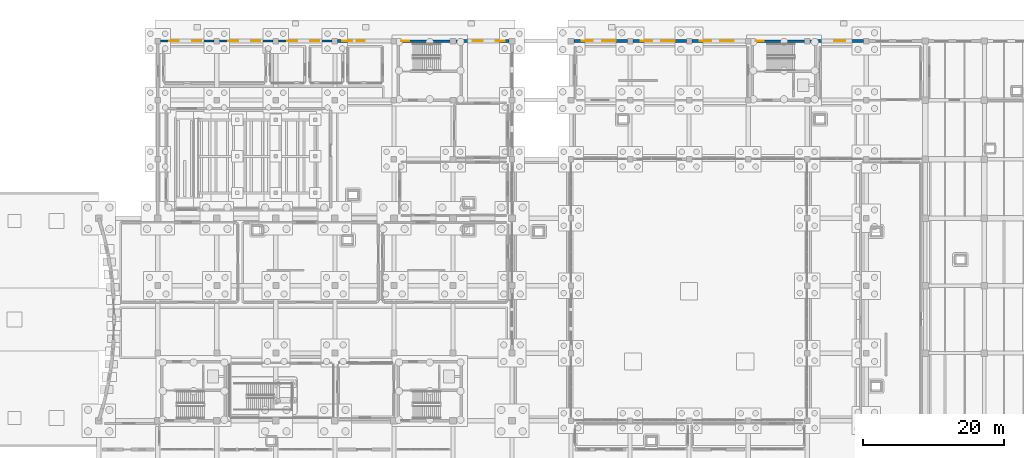
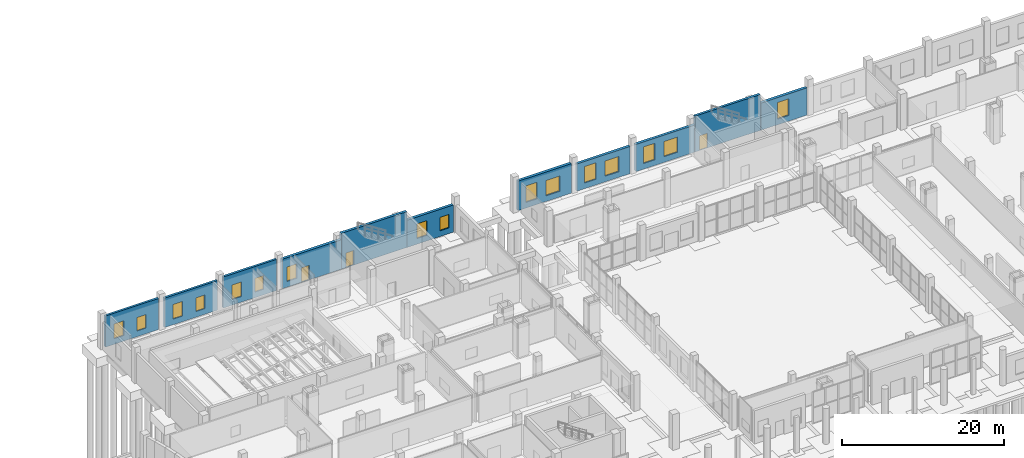
# One storey, part 45 of 65: 16 windows, 11 walls, 3 doors, 19 openings.
"""IFC4 building model written with IfcOpenShell, lengths in metres."""

from ifc_helpers import new_model, si_unit, direction, frame, frame_2d, origin, place, context, subcontext, project, spatial, rectangle, extrude, material, layer, layer_set, type_object, element, fill, save


model = new_model("IFC4")

# Units and contexts
model_context = context("Model", 3, precision=1e-05, world=origin(), true_north=direction((0.0, 1.0)))
body_context = subcontext(model_context, "Body", "Model", "MODEL_VIEW")
ifc_project = project(units=[si_unit("LENGTHUNIT", "METRE"), si_unit("AREAUNIT", "SQUARE_METRE"), si_unit("VOLUMEUNIT", "CUBIC_METRE"), si_unit("PLANEANGLEUNIT", "RADIAN"), si_unit("MASSUNIT", "GRAM", prefix="KILO")], contexts=[model_context])

# Site, building, storey
site_placement = place(None, origin())
site = spatial("IfcSite", under=ifc_project, at=site_placement, CompositionType="ELEMENT")
building_placement = place(site_placement, origin())
building = spatial("IfcBuilding", under=site, at=building_placement, Name="Zulmaris Art Gallery", CompositionType="ELEMENT")
storey_placement = place(building_placement, origin())
storey = spatial("IfcBuildingStorey", under=building, at=storey_placement, Name="L00", CompositionType="ELEMENT", Elevation=0.0)

# Wall, openings, door, window
ifc_material_1 = material(Name="Omani Desert Rose Limestone Cladding Wall", Category="masonry")
ifc_layer_1 = layer(ifc_material_1, 0.389892578125)
ifc_layer_set_1 = layer_set([ifc_layer_1], Name="Omani Desert Rose Limestone Cladding Wall")
wall_type_1 = type_object("IfcWallType", Name="ENV-WALL-EW02", PredefinedType="SOLIDWALL", material=ifc_layer_set_1)
wall_1_placement = place(storey_placement, frame((58.001953125, 75.60009765625, 0.0), z_axis=(0.0, 0.0, 1.0), x_axis=(1.0, 0.0, 0.0)))
wall_1 = element("IfcWall", 1, at=wall_1_placement, inside=storey, type_object=wall_type_1, Name="L00 V3 North Limestone Wall (57.6..66.4)", PredefinedType="SOLIDWALL", context=body_context, shape_type="SweptSolid", body=[
    extrude(rectangle(XDim=8.406005859375, YDim=0.389892578125, at=frame_2d((4.203125, 0.0))), origin(), (0.0, 0.0, 1.0), 4.43994140625),
])
opening_1_placement = place(wall_1_placement, frame((0.66796875, 0.0, 0.85009765625)))
opening_1 = element("IfcOpeningElement", 2, at=opening_1_placement, cuts=wall_1, Name="Opening W04", PredefinedType="OPENING", context=body_context, shape_type="SweptSolid", body=[
    extrude(rectangle(XDim=1.39990234375, YDim=2.199951171875, at=frame_2d((0.699951171875, 1.10009765625))), frame((0.0, 0.204833984375, 0.0), z_axis=(0.0, -1.0, 0.0), x_axis=(1.0, 0.0, 0.0)), (0.0, 0.0, 1.0), 0.409912109375),
])
opening_2_placement = place(wall_1_placement, frame((2.718017578125, 0.0, 0.0)))
opening_2 = element("IfcOpeningElement", 3, at=opening_2_placement, cuts=wall_1, Name="Opening ED02", PredefinedType="OPENING", context=body_context, shape_type="SweptSolid", body=[
    extrude(rectangle(XDim=1.14990234375, YDim=2.199951171875, at=frame_2d((0.574951171875, 1.10009765625))), frame((0.0, 0.204833984375, 0.0), z_axis=(0.0, -1.0, 0.0), x_axis=(1.0, 0.0, 0.0)), (0.0, 0.0, 1.0), 0.409912109375),
])
ifc_material_2 = material(Name="Fire Exit Discharge Door", Category="steel")
door_type = type_object("IfcDoorType", Name="EDOOR-ED02", OperationType="SINGLE_SWING_LEFT", PredefinedType="DOOR", material=ifc_material_2)
door_1_placement = place(opening_2_placement, origin())
door_1 = element("IfcDoor", 4, at=door_1_placement, inside=storey, type_object=door_type, Name="L00 Auditorium Foyer North Exit Door", OperationType="SINGLE_SWING_LEFT", OverallHeight=2.199951171875, OverallWidth=1.14990234375, PredefinedType="DOOR", context=body_context, shape_type="SweptSolid", body=[
    extrude(rectangle(XDim=1.14990234375, YDim=2.199951171875, at=frame_2d((0.574951171875, 1.10009765625))), frame((0.0, 0.02490234375, 0.0), z_axis=(0.0, -1.0, 0.0), x_axis=(1.0, 0.0, 0.0)), (0.0, 0.0, 1.0), 0.050048828125),
])
fill(opening_2, door_1)
ifc_material_3 = material(Name="Deep-Reveal Limestone Slot Window", Category="masonry")
window_type_1 = type_object("IfcWindowType", Name="WIN-W04", PartitioningType="SINGLE_PANEL", PredefinedType="WINDOW", material=ifc_material_3)
window_1_placement = place(opening_1_placement, origin())
window_1 = element("IfcWindow", 5, at=window_1_placement, inside=storey, type_object=window_type_1, Name="L00 exterior window W04", OverallHeight=2.199951171875, OverallWidth=1.39990234375, PartitioningType="SINGLE_PANEL", PredefinedType="WINDOW", context=body_context, shape_type="SweptSolid", body=[
    extrude(rectangle(XDim=1.39990234375, YDim=2.199951171875, at=frame_2d((0.699951171875, 1.10009765625))), frame((0.0, 0.030029296875, 0.0), z_axis=(0.0, -1.0, 0.0), x_axis=(1.0, 0.0, 0.0)), (0.0, 0.0, 1.0), 0.06005859375),
])
fill(opening_1, window_1)

# Wall, openings, windows
wall_2_placement = place(storey_placement, frame((75.7919921875, 75.60009765625, 0.0), z_axis=(0.0, 0.0, 1.0), x_axis=(1.0, 0.0, 0.0)))
wall_2 = element("IfcWall", 6, at=wall_2_placement, inside=storey, type_object=wall_type_1, Name="L00 V3 North Limestone Wall (75.6..82.8)", PredefinedType="SOLIDWALL", context=body_context, shape_type="SweptSolid", body=[
    extrude(rectangle(XDim=6.60595703125, YDim=0.389892578125, at=frame_2d((3.302978515625, 0.0))), origin(), (0.0, 0.0, 1.0), 4.090087890625),
])
opening_3_placement = place(wall_2_placement, frame((1.427978515625, 0.0, 0.85009765625)))
opening_3 = element("IfcOpeningElement", 7, at=opening_3_placement, cuts=wall_2, Name="Opening W04", PredefinedType="OPENING", context=body_context, shape_type="SweptSolid", body=[
    extrude(rectangle(XDim=1.39990234375, YDim=2.199951171875, at=frame_2d((0.699951171875, 1.10009765625))), frame((0.0, 0.204833984375, 0.0), z_axis=(0.0, -1.0, 0.0), x_axis=(1.0, 0.0, 0.0)), (0.0, 0.0, 1.0), 0.409912109375),
])
opening_4_placement = place(wall_2_placement, frame((4.72802734375, 0.0, 0.85009765625)))
opening_4 = element("IfcOpeningElement", 8, at=opening_4_placement, cuts=wall_2, Name="Opening W10", PredefinedType="OPENING", context=body_context, shape_type="SweptSolid", body=[
    extrude(rectangle(XDim=1.25, YDim=2.050048828125, at=frame_2d((0.625, 1.02490234375))), frame((0.0, 0.204833984375, 0.0), z_axis=(0.0, -1.0, 0.0), x_axis=(1.0, 0.0, 0.0)), (0.0, 0.0, 1.0), 0.409912109375),
])
window_2_placement = place(opening_3_placement, origin())
window_2 = element("IfcWindow", 9, at=window_2_placement, inside=storey, type_object=window_type_1, Name="L00 exterior window W04", OverallHeight=2.199951171875, OverallWidth=1.39990234375, PartitioningType="SINGLE_PANEL", PredefinedType="WINDOW", context=body_context, shape_type="SweptSolid", body=[
    extrude(rectangle(XDim=1.39990234375, YDim=2.199951171875, at=frame_2d((0.699951171875, 1.10009765625))), frame((0.0, 0.030029296875, 0.0), z_axis=(0.0, -1.0, 0.0), x_axis=(1.0, 0.0, 0.0)), (0.0, 0.0, 1.0), 0.06005859375),
])
fill(opening_3, window_2)
ifc_material_4 = material(Name="Limestone Deep-Set Lancet Window", Category="masonry")
window_type_2 = type_object("IfcWindowType", Name="WIN-W10", PartitioningType="SINGLE_PANEL", PredefinedType="WINDOW", material=ifc_material_4)
window_3_placement = place(opening_4_placement, origin())
window_3 = element("IfcWindow", 10, at=window_3_placement, inside=storey, type_object=window_type_2, Name="L00 exterior window W10", OverallHeight=2.050048828125, OverallWidth=1.25, PartitioningType="SINGLE_PANEL", PredefinedType="WINDOW", context=body_context, shape_type="SweptSolid", body=[
    extrude(rectangle(XDim=1.25, YDim=2.050048828125, at=frame_2d((0.625, 1.02490234375))), frame((0.0, 0.030029296875, 0.0), z_axis=(0.0, -1.0, 0.0), x_axis=(1.0, 0.0, 0.0)), (0.0, 0.0, 1.0), 0.06005859375),
])
fill(opening_4, window_3)

wall_3_placement = place(storey_placement, frame((91.60205078125, 75.60009765625, 0.0), z_axis=(0.0, 0.0, 1.0), x_axis=(1.0, 0.0, 0.0)))
wall_3 = element("IfcWall", 11, at=wall_3_placement, inside=storey, type_object=wall_type_1, Name="L00 V4 North Alley Limestone Facade (91.2..99.6)", PredefinedType="SOLIDWALL", context=body_context, shape_type="SweptSolid", body=[
    extrude(rectangle(XDim=7.595947265625, YDim=0.389892578125, at=frame_2d((3.7978515625, 0.0))), origin(), (0.0, 0.0, 1.0), 4.43994140625),
])
opening_5_placement = place(wall_3_placement, frame((1.117919921875, 0.0, 0.85009765625)))
opening_5 = element("IfcOpeningElement", 12, at=opening_5_placement, cuts=wall_3, Name="Opening W01", PredefinedType="OPENING", context=body_context, shape_type="SweptSolid", body=[
    extrude(rectangle(XDim=1.60009765625, YDim=2.5, at=frame_2d((0.800048828125, 1.25))), frame((0.0, 0.204833984375, 0.0), z_axis=(0.0, -1.0, 0.0), x_axis=(1.0, 0.0, 0.0)), (0.0, 0.0, 1.0), 0.409912109375),
])
opening_6_placement = place(wall_3_placement, frame((4.01806640625, 0.0, 0.85009765625)))
opening_6 = element("IfcOpeningElement", 13, at=opening_6_placement, cuts=wall_3, Name="Opening W08", PredefinedType="OPENING", context=body_context, shape_type="SweptSolid", body=[
    extrude(rectangle(XDim=1.949951171875, YDim=2.300048828125, at=frame_2d((0.97509765625, 1.14990234375))), frame((0.0, 0.204833984375, 0.0), z_axis=(0.0, -1.0, 0.0), x_axis=(1.0, 0.0, 0.0)), (0.0, 0.0, 1.0), 0.409912109375),
])
ifc_material_5 = material(Name="Double-Glazed Solar-Control Low-E Window", Category="glass")
window_type_3 = type_object("IfcWindowType", Name="WIN-W01", PartitioningType="SINGLE_PANEL", PredefinedType="WINDOW", material=ifc_material_5)
window_4_placement = place(opening_5_placement, origin())
window_4 = element("IfcWindow", 14, at=window_4_placement, inside=storey, type_object=window_type_3, Name="L00 exterior window W01", OverallHeight=2.5, OverallWidth=1.60009765625, PartitioningType="SINGLE_PANEL", PredefinedType="WINDOW", context=body_context, shape_type="SweptSolid", body=[
    extrude(rectangle(XDim=1.60009765625, YDim=2.5, at=frame_2d((0.800048828125, 1.25))), frame((0.0, 0.030029296875, 0.0), z_axis=(0.0, -1.0, 0.0), x_axis=(1.0, 0.0, 0.0)), (0.0, 0.0, 1.0), 0.06005859375),
])
fill(opening_5, window_4)
ifc_material_6 = material(Name="Curatorial North Studio Window", Category="glass")
window_type_4 = type_object("IfcWindowType", Name="WIN-W08", PartitioningType="SINGLE_PANEL", PredefinedType="WINDOW", material=ifc_material_6)
window_5_placement = place(opening_6_placement, origin())
window_5 = element("IfcWindow", 15, at=window_5_placement, inside=storey, type_object=window_type_4, Name="L00 exterior window W08", OverallHeight=2.300048828125, OverallWidth=1.949951171875, PartitioningType="SINGLE_PANEL", PredefinedType="WINDOW", context=body_context, shape_type="SweptSolid", body=[
    extrude(rectangle(XDim=1.949951171875, YDim=2.300048828125, at=frame_2d((0.97509765625, 1.14990234375))), frame((0.0, 0.030029296875, 0.0), z_axis=(0.0, -1.0, 0.0), x_axis=(1.0, 0.0, 0.0)), (0.0, 0.0, 1.0), 0.06005859375),
])
fill(opening_6, window_5)

wall_4_placement = place(storey_placement, frame((100.001953125, 75.60009765625, 0.0), z_axis=(0.0, 0.0, 1.0), x_axis=(1.0, 0.0, 0.0)))
wall_4 = element("IfcWall", 16, at=wall_4_placement, inside=storey, type_object=wall_type_1, Name="L00 V4 North Alley Limestone Facade (99.6..108.0)", PredefinedType="SOLIDWALL", context=body_context, shape_type="SweptSolid", body=[
    extrude(rectangle(XDim=7.595947265625, YDim=0.389892578125, at=frame_2d((3.7978515625, 0.0))), origin(), (0.0, 0.0, 1.0), 4.090087890625),
])
opening_7_placement = place(wall_4_placement, frame((1.117919921875, 0.0, 0.85009765625)))
opening_7 = element("IfcOpeningElement", 17, at=opening_7_placement, cuts=wall_4, Name="Opening W01", PredefinedType="OPENING", context=body_context, shape_type="SweptSolid", body=[
    extrude(rectangle(XDim=1.60009765625, YDim=2.5, at=frame_2d((0.800048828125, 1.25))), frame((0.0, 0.204833984375, 0.0), z_axis=(0.0, -1.0, 0.0), x_axis=(1.0, 0.0, 0.0)), (0.0, 0.0, 1.0), 0.409912109375),
])
opening_8_placement = place(wall_4_placement, frame((4.01806640625, 0.0, 0.85009765625)))
opening_8 = element("IfcOpeningElement", 18, at=opening_8_placement, cuts=wall_4, Name="Opening W08", PredefinedType="OPENING", context=body_context, shape_type="SweptSolid", body=[
    extrude(rectangle(XDim=1.949951171875, YDim=2.300048828125, at=frame_2d((0.97509765625, 1.14990234375))), frame((0.0, 0.204833984375, 0.0), z_axis=(0.0, -1.0, 0.0), x_axis=(1.0, 0.0, 0.0)), (0.0, 0.0, 1.0), 0.409912109375),
])
window_6_placement = place(opening_7_placement, origin())
window_6 = element("IfcWindow", 19, at=window_6_placement, inside=storey, type_object=window_type_3, Name="L00 exterior window W01", OverallHeight=2.5, OverallWidth=1.60009765625, PartitioningType="SINGLE_PANEL", PredefinedType="WINDOW", context=body_context, shape_type="SweptSolid", body=[
    extrude(rectangle(XDim=1.60009765625, YDim=2.5, at=frame_2d((0.800048828125, 1.25))), frame((0.0, 0.030029296875, 0.0), z_axis=(0.0, -1.0, 0.0), x_axis=(1.0, 0.0, 0.0)), (0.0, 0.0, 1.0), 0.06005859375),
])
fill(opening_7, window_6)
window_7_placement = place(opening_8_placement, origin())
window_7 = element("IfcWindow", 20, at=window_7_placement, inside=storey, type_object=window_type_4, Name="L00 exterior window W08", OverallHeight=2.300048828125, OverallWidth=1.949951171875, PartitioningType="SINGLE_PANEL", PredefinedType="WINDOW", context=body_context, shape_type="SweptSolid", body=[
    extrude(rectangle(XDim=1.949951171875, YDim=2.300048828125, at=frame_2d((0.97509765625, 1.14990234375))), frame((0.0, 0.030029296875, 0.0), z_axis=(0.0, -1.0, 0.0), x_axis=(1.0, 0.0, 0.0)), (0.0, 0.0, 1.0), 0.06005859375),
])
fill(opening_8, window_7)

wall_5_placement = place(storey_placement, frame((108.402099609375, 75.60009765625, 0.0), z_axis=(0.0, 0.0, 1.0), x_axis=(1.0, 0.0, 0.0)))
wall_5 = element("IfcWall", 21, at=wall_5_placement, inside=storey, type_object=wall_type_1, Name="L00 V4 North Alley Limestone Facade (108.0..116.8)", PredefinedType="SOLIDWALL", context=body_context, shape_type="SweptSolid", body=[
    extrude(rectangle(XDim=8.385986328125, YDim=0.389892578125, at=frame_2d((4.19287109375, 0.0))), origin(), (0.0, 0.0, 1.0), 4.090087890625),
])
opening_9_placement = place(wall_5_placement, frame((1.117919921875, 0.0, 0.85009765625)))
opening_9 = element("IfcOpeningElement", 22, at=opening_9_placement, cuts=wall_5, Name="Opening W01", PredefinedType="OPENING", context=body_context, shape_type="SweptSolid", body=[
    extrude(rectangle(XDim=1.60009765625, YDim=2.5, at=frame_2d((0.800048828125, 1.25))), frame((0.0, 0.204833984375, 0.0), z_axis=(0.0, -1.0, 0.0), x_axis=(1.0, 0.0, 0.0)), (0.0, 0.0, 1.0), 0.409912109375),
])
opening_10_placement = place(wall_5_placement, frame((4.01806640625, 0.0, 0.85009765625)))
opening_10 = element("IfcOpeningElement", 23, at=opening_10_placement, cuts=wall_5, Name="Opening W08", PredefinedType="OPENING", context=body_context, shape_type="SweptSolid", body=[
    extrude(rectangle(XDim=1.949951171875, YDim=2.300048828125, at=frame_2d((0.97509765625, 1.14990234375))), frame((0.0, 0.204833984375, 0.0), z_axis=(0.0, -1.0, 0.0), x_axis=(1.0, 0.0, 0.0)), (0.0, 0.0, 1.0), 0.409912109375),
])
window_8_placement = place(opening_9_placement, origin())
window_8 = element("IfcWindow", 24, at=window_8_placement, inside=storey, type_object=window_type_3, Name="L00 exterior window W01", OverallHeight=2.5, OverallWidth=1.60009765625, PartitioningType="SINGLE_PANEL", PredefinedType="WINDOW", context=body_context, shape_type="SweptSolid", body=[
    extrude(rectangle(XDim=1.60009765625, YDim=2.5, at=frame_2d((0.800048828125, 1.25))), frame((0.0, 0.030029296875, 0.0), z_axis=(0.0, -1.0, 0.0), x_axis=(1.0, 0.0, 0.0)), (0.0, 0.0, 1.0), 0.06005859375),
])
fill(opening_9, window_8)
window_9_placement = place(opening_10_placement, origin())
window_9 = element("IfcWindow", 25, at=window_9_placement, inside=storey, type_object=window_type_4, Name="L00 exterior window W08", OverallHeight=2.300048828125, OverallWidth=1.949951171875, PartitioningType="SINGLE_PANEL", PredefinedType="WINDOW", context=body_context, shape_type="SweptSolid", body=[
    extrude(rectangle(XDim=1.949951171875, YDim=2.300048828125, at=frame_2d((0.97509765625, 1.14990234375))), frame((0.0, 0.030029296875, 0.0), z_axis=(0.0, -1.0, 0.0), x_axis=(1.0, 0.0, 0.0)), (0.0, 0.0, 1.0), 0.06005859375),
])
fill(opening_10, window_9)

# Wall, opening, window
wall_6_placement = place(storey_placement, frame((126.2119140625, 75.60009765625, 0.0), z_axis=(0.0, 0.0, 1.0), x_axis=(1.0, 0.0, 0.0)))
wall_6 = element("IfcWall", 26, at=wall_6_placement, inside=storey, type_object=wall_type_1, Name="L00 V4 North Alley Limestone Facade (126.0..133.2)", PredefinedType="SOLIDWALL", context=body_context, shape_type="SweptSolid", body=[
    extrude(rectangle(XDim=6.586181640625, YDim=0.389892578125, at=frame_2d((3.29296875, 0.0))), origin(), (0.0, 0.0, 1.0), 4.090087890625),
])
opening_11_placement = place(wall_6_placement, frame((2.407958984375, 0.0, 0.85009765625)))
opening_11 = element("IfcOpeningElement", 27, at=opening_11_placement, cuts=wall_6, Name="Opening W01", PredefinedType="OPENING", context=body_context, shape_type="SweptSolid", body=[
    extrude(rectangle(XDim=1.60009765625, YDim=2.5, at=frame_2d((0.800048828125, 1.25))), frame((0.0, 0.204833984375, 0.0), z_axis=(0.0, -1.0, 0.0), x_axis=(1.0, 0.0, 0.0)), (0.0, 0.0, 1.0), 0.409912109375),
])
window_10_placement = place(opening_11_placement, origin())
window_10 = element("IfcWindow", 28, at=window_10_placement, inside=storey, type_object=window_type_3, Name="L00 exterior window W01", OverallHeight=2.5, OverallWidth=1.60009765625, PartitioningType="SINGLE_PANEL", PredefinedType="WINDOW", context=body_context, shape_type="SweptSolid", body=[
    extrude(rectangle(XDim=1.60009765625, YDim=2.5, at=frame_2d((0.800048828125, 1.25))), frame((0.0, 0.030029296875, 0.0), z_axis=(0.0, -1.0, 0.0), x_axis=(1.0, 0.0, 0.0)), (0.0, 0.0, 1.0), 0.06005859375),
])
fill(opening_11, window_10)

# Wall, openings, windows
ifc_material_7 = material(Name="Stucco-Rendered Acoustic Blockwork Wall", Category="masonry")
ifc_layer_2 = layer(ifc_material_7, 0.320068359375)
ifc_layer_set_2 = layer_set([ifc_layer_2], Name="Stucco-Rendered Acoustic Blockwork Wall")
wall_type_2 = type_object("IfcWallType", Name="ENV-WALL-EW04", PredefinedType="SOLIDWALL", material=ifc_layer_set_2)
wall_7_placement = place(storey_placement, frame((32.802001953125, 75.60009765625, 0.0), z_axis=(0.0, 0.0, 1.0), x_axis=(1.0, 0.0, 0.0)))
wall_7 = element("IfcWall", 29, at=wall_7_placement, inside=storey, type_object=wall_type_2, Name="L00 V3 North Limestone Wall (32.4..40.8)", PredefinedType="SOLIDWALL", context=body_context, shape_type="SweptSolid", body=[
    extrude(rectangle(XDim=7.595947265625, YDim=0.320068359375, at=frame_2d((3.7978515625, 0.0))), origin(), (0.0, 0.0, 1.0), 4.68994140625),
])
opening_12_placement = place(wall_7_placement, frame((1.218017578125, 0.0, 0.85009765625)))
opening_12 = element("IfcOpeningElement", 30, at=opening_12_placement, cuts=wall_7, Name="Opening W04", PredefinedType="OPENING", context=body_context, shape_type="SweptSolid", body=[
    extrude(rectangle(XDim=1.39990234375, YDim=2.199951171875, at=frame_2d((0.699951171875, 1.10009765625))), frame((0.0, 0.169921875, 0.0), z_axis=(0.0, -1.0, 0.0), x_axis=(1.0, 0.0, 0.0)), (0.0, 0.0, 1.0), 0.340087890625),
])
opening_13_placement = place(wall_7_placement, frame((4.51806640625, 0.0, 0.85009765625)))
opening_13 = element("IfcOpeningElement", 31, at=opening_13_placement, cuts=wall_7, Name="Opening W10", PredefinedType="OPENING", context=body_context, shape_type="SweptSolid", body=[
    extrude(rectangle(XDim=1.25, YDim=2.050048828125, at=frame_2d((0.625, 1.02490234375))), frame((0.0, 0.169921875, 0.0), z_axis=(0.0, -1.0, 0.0), x_axis=(1.0, 0.0, 0.0)), (0.0, 0.0, 1.0), 0.340087890625),
])
window_11_placement = place(opening_12_placement, origin())
window_11 = element("IfcWindow", 32, at=window_11_placement, inside=storey, type_object=window_type_1, Name="L00 exterior window W04", OverallHeight=2.199951171875, OverallWidth=1.39990234375, PartitioningType="SINGLE_PANEL", PredefinedType="WINDOW", context=body_context, shape_type="SweptSolid", body=[
    extrude(rectangle(XDim=1.39990234375, YDim=2.199951171875, at=frame_2d((0.699951171875, 1.10009765625))), frame((0.0, 0.030029296875, 0.0), z_axis=(0.0, -1.0, 0.0), x_axis=(1.0, 0.0, 0.0)), (0.0, 0.0, 1.0), 0.06005859375),
])
fill(opening_12, window_11)
window_12_placement = place(opening_13_placement, origin())
window_12 = element("IfcWindow", 33, at=window_12_placement, inside=storey, type_object=window_type_2, Name="L00 exterior window W10", OverallHeight=2.050048828125, OverallWidth=1.25, PartitioningType="SINGLE_PANEL", PredefinedType="WINDOW", context=body_context, shape_type="SweptSolid", body=[
    extrude(rectangle(XDim=1.25, YDim=2.050048828125, at=frame_2d((0.625, 1.02490234375))), frame((0.0, 0.030029296875, 0.0), z_axis=(0.0, -1.0, 0.0), x_axis=(1.0, 0.0, 0.0)), (0.0, 0.0, 1.0), 0.06005859375),
])
fill(opening_13, window_12)

wall_8_placement = place(storey_placement, frame((41.201904296875, 75.60009765625, 0.0), z_axis=(0.0, 0.0, 1.0), x_axis=(1.0, 0.0, 0.0)))
wall_8 = element("IfcWall", 34, at=wall_8_placement, inside=storey, type_object=wall_type_2, Name="L00 V3 North Limestone Wall (40.8..49.2)", PredefinedType="SOLIDWALL", context=body_context, shape_type="SweptSolid", body=[
    extrude(rectangle(XDim=7.59619140625, YDim=0.320068359375, at=frame_2d((3.798095703125, 0.0))), origin(), (0.0, 0.0, 1.0), 4.43994140625),
])
opening_14_placement = place(wall_8_placement, frame((1.218017578125, 0.0, 0.85009765625)))
opening_14 = element("IfcOpeningElement", 35, at=opening_14_placement, cuts=wall_8, Name="Opening W04", PredefinedType="OPENING", context=body_context, shape_type="SweptSolid", body=[
    extrude(rectangle(XDim=1.39990234375, YDim=2.199951171875, at=frame_2d((0.699951171875, 1.10009765625))), frame((0.0, 0.169921875, 0.0), z_axis=(0.0, -1.0, 0.0), x_axis=(1.0, 0.0, 0.0)), (0.0, 0.0, 1.0), 0.340087890625),
])
opening_15_placement = place(wall_8_placement, frame((4.51806640625, 0.0, 0.85009765625)))
opening_15 = element("IfcOpeningElement", 36, at=opening_15_placement, cuts=wall_8, Name="Opening W10", PredefinedType="OPENING", context=body_context, shape_type="SweptSolid", body=[
    extrude(rectangle(XDim=1.25, YDim=2.050048828125, at=frame_2d((0.625, 1.02490234375))), frame((0.0, 0.169921875, 0.0), z_axis=(0.0, -1.0, 0.0), x_axis=(1.0, 0.0, 0.0)), (0.0, 0.0, 1.0), 0.340087890625),
])
window_13_placement = place(opening_14_placement, origin())
window_13 = element("IfcWindow", 37, at=window_13_placement, inside=storey, type_object=window_type_1, Name="L00 exterior window W04", OverallHeight=2.199951171875, OverallWidth=1.39990234375, PartitioningType="SINGLE_PANEL", PredefinedType="WINDOW", context=body_context, shape_type="SweptSolid", body=[
    extrude(rectangle(XDim=1.39990234375, YDim=2.199951171875, at=frame_2d((0.699951171875, 1.10009765625))), frame((0.0, 0.030029296875, 0.0), z_axis=(0.0, -1.0, 0.0), x_axis=(1.0, 0.0, 0.0)), (0.0, 0.0, 1.0), 0.06005859375),
])
fill(opening_14, window_13)
window_14_placement = place(opening_15_placement, origin())
window_14 = element("IfcWindow", 38, at=window_14_placement, inside=storey, type_object=window_type_2, Name="L00 exterior window W10", OverallHeight=2.050048828125, OverallWidth=1.25, PartitioningType="SINGLE_PANEL", PredefinedType="WINDOW", context=body_context, shape_type="SweptSolid", body=[
    extrude(rectangle(XDim=1.25, YDim=2.050048828125, at=frame_2d((0.625, 1.02490234375))), frame((0.0, 0.030029296875, 0.0), z_axis=(0.0, -1.0, 0.0), x_axis=(1.0, 0.0, 0.0)), (0.0, 0.0, 1.0), 0.06005859375),
])
fill(opening_15, window_14)

wall_9_placement = place(storey_placement, frame((49.60205078125, 75.60009765625, 0.0), z_axis=(0.0, 0.0, 1.0), x_axis=(1.0, 0.0, 0.0)))
wall_9 = element("IfcWall", 39, at=wall_9_placement, inside=storey, type_object=wall_type_2, Name="L00 V3 North Limestone Wall (49.2..57.6)", PredefinedType="SOLIDWALL", context=body_context, shape_type="SweptSolid", body=[
    extrude(rectangle(XDim=7.595947265625, YDim=0.320068359375, at=frame_2d((3.7978515625, 0.0))), origin(), (0.0, 0.0, 1.0), 4.68994140625),
])
opening_16_placement = place(wall_9_placement, frame((1.218017578125, 0.0, 0.85009765625)))
opening_16 = element("IfcOpeningElement", 40, at=opening_16_placement, cuts=wall_9, Name="Opening W04", PredefinedType="OPENING", context=body_context, shape_type="SweptSolid", body=[
    extrude(rectangle(XDim=1.39990234375, YDim=2.199951171875, at=frame_2d((0.699951171875, 1.10009765625))), frame((0.0, 0.169921875, 0.0), z_axis=(0.0, -1.0, 0.0), x_axis=(1.0, 0.0, 0.0)), (0.0, 0.0, 1.0), 0.340087890625),
])
opening_17_placement = place(wall_9_placement, frame((4.51806640625, 0.0, 0.85009765625)))
opening_17 = element("IfcOpeningElement", 41, at=opening_17_placement, cuts=wall_9, Name="Opening W10", PredefinedType="OPENING", context=body_context, shape_type="SweptSolid", body=[
    extrude(rectangle(XDim=1.25, YDim=2.050048828125, at=frame_2d((0.625, 1.02490234375))), frame((0.0, 0.169921875, 0.0), z_axis=(0.0, -1.0, 0.0), x_axis=(1.0, 0.0, 0.0)), (0.0, 0.0, 1.0), 0.340087890625),
])
window_15_placement = place(opening_16_placement, origin())
window_15 = element("IfcWindow", 42, at=window_15_placement, inside=storey, type_object=window_type_1, Name="L00 exterior window W04", OverallHeight=2.199951171875, OverallWidth=1.39990234375, PartitioningType="SINGLE_PANEL", PredefinedType="WINDOW", context=body_context, shape_type="SweptSolid", body=[
    extrude(rectangle(XDim=1.39990234375, YDim=2.199951171875, at=frame_2d((0.699951171875, 1.10009765625))), frame((0.0, 0.030029296875, 0.0), z_axis=(0.0, -1.0, 0.0), x_axis=(1.0, 0.0, 0.0)), (0.0, 0.0, 1.0), 0.06005859375),
])
fill(opening_16, window_15)
window_16_placement = place(opening_17_placement, origin())
window_16 = element("IfcWindow", 43, at=window_16_placement, inside=storey, type_object=window_type_2, Name="L00 exterior window W10", OverallHeight=2.050048828125, OverallWidth=1.25, PartitioningType="SINGLE_PANEL", PredefinedType="WINDOW", context=body_context, shape_type="SweptSolid", body=[
    extrude(rectangle(XDim=1.25, YDim=2.050048828125, at=frame_2d((0.625, 1.02490234375))), frame((0.0, 0.030029296875, 0.0), z_axis=(0.0, -1.0, 0.0), x_axis=(1.0, 0.0, 0.0)), (0.0, 0.0, 1.0), 0.06005859375),
])
fill(opening_17, window_16)

# Wall, opening, door
ifc_material_8 = material(Name="Concrete C50/60", Category="concrete")
ifc_layer_3 = layer(ifc_material_8, 0.35009765625)
ifc_layer_set_3 = layer_set([ifc_layer_3], Name="Concrete C50/60")
wall_type_3 = type_object("IfcWallType", Name="STR-WALL-SW01", PredefinedType="SHEAR", material=ifc_layer_set_3)
wall_10_placement = place(storey_placement, frame((116.824951171875, 75.60009765625, 0.0), z_axis=(0.0, 0.0, 1.0), x_axis=(1.0, 0.0, 0.0)))
wall_10 = element("IfcWall", 44, at=wall_10_placement, inside=storey, type_object=wall_type_3, Name="Core C5 L00 N shear wall", PredefinedType="SHEAR", context=body_context, shape_type="SweptSolid", body=[
    extrude(rectangle(XDim=9.35009765625, YDim=0.35009765625, at=frame_2d((4.675048828125, 0.0))), origin(), (0.0, 0.0, 1.0), 5.39990234375),
])
opening_18_placement = place(wall_10_placement, frame((0.64990234375, 0.0, 0.0)))
opening_18 = element("IfcOpeningElement", 45, at=opening_18_placement, cuts=wall_10, Name="Opening ED02", PredefinedType="OPENING", context=body_context, shape_type="SweptSolid", body=[
    extrude(rectangle(XDim=1.14990234375, YDim=2.199951171875, at=frame_2d((0.574951171875, 1.10009765625))), frame((0.0, 0.18505859375, 0.0), z_axis=(0.0, -1.0, 0.0), x_axis=(1.0, 0.0, 0.0)), (0.0, 0.0, 1.0), 0.3701171875),
])
door_2_placement = place(opening_18_placement, origin())
door_2 = element("IfcDoor", 46, at=door_2_placement, inside=storey, type_object=door_type, Name="Core C5 ST5 Ground Exit Discharge Door", OperationType="SINGLE_SWING_LEFT", OverallHeight=2.199951171875, OverallWidth=1.14990234375, PredefinedType="DOOR", context=body_context, shape_type="SweptSolid", body=[
    extrude(rectangle(XDim=1.14990234375, YDim=2.199951171875, at=frame_2d((0.574951171875, 1.10009765625))), frame((0.0, 0.02490234375, 0.0), z_axis=(0.0, -1.0, 0.0), x_axis=(1.0, 0.0, 0.0)), (0.0, 0.0, 1.0), 0.050048828125),
])
fill(opening_18, door_2)

ifc_layer_4 = layer(ifc_material_8, 0.3798828125)
ifc_layer_set_4 = layer_set([ifc_layer_4], Name="Concrete C50/60")
wall_type_4 = type_object("IfcWallType", Name="STR-WALL-SW02", PredefinedType="SHEAR", material=ifc_layer_set_4)
wall_11_placement = place(storey_placement, frame((66.409912109375, 75.60009765625, 0.0), z_axis=(0.0, 0.0, 1.0), x_axis=(1.0, 0.0, 0.0)))
wall_11 = element("IfcWall", 47, at=wall_11_placement, inside=storey, type_object=wall_type_4, Name="Core C6 L00 N shear wall", PredefinedType="SHEAR", context=body_context, shape_type="SweptSolid", body=[
    extrude(rectangle(XDim=9.380126953125, YDim=0.3798828125, at=frame_2d((4.68994140625, 0.0))), origin(), (0.0, 0.0, 1.0), 5.39990234375),
])
opening_19_placement = place(wall_11_placement, frame((0.64990234375, 0.0, 0.0)))
opening_19 = element("IfcOpeningElement", 48, at=opening_19_placement, cuts=wall_11, Name="Opening ED02", PredefinedType="OPENING", context=body_context, shape_type="SweptSolid", body=[
    extrude(rectangle(XDim=1.14990234375, YDim=2.199951171875, at=frame_2d((0.574951171875, 1.10009765625))), frame((0.0, 0.199951171875, 0.0), z_axis=(0.0, -1.0, 0.0), x_axis=(1.0, 0.0, 0.0)), (0.0, 0.0, 1.0), 0.39990234375),
])
door_3_placement = place(opening_19_placement, origin())
door_3 = element("IfcDoor", 49, at=door_3_placement, inside=storey, type_object=door_type, Name="Core C6 ST7 Ground Exit Discharge Door", OperationType="SINGLE_SWING_LEFT", OverallHeight=2.199951171875, OverallWidth=1.14990234375, PredefinedType="DOOR", context=body_context, shape_type="SweptSolid", body=[
    extrude(rectangle(XDim=1.14990234375, YDim=2.199951171875, at=frame_2d((0.574951171875, 1.10009765625))), frame((0.0, 0.02490234375, 0.0), z_axis=(0.0, -1.0, 0.0), x_axis=(1.0, 0.0, 0.0)), (0.0, 0.0, 1.0), 0.050048828125),
])
fill(opening_19, door_3)

save(model, "model.ifc")
